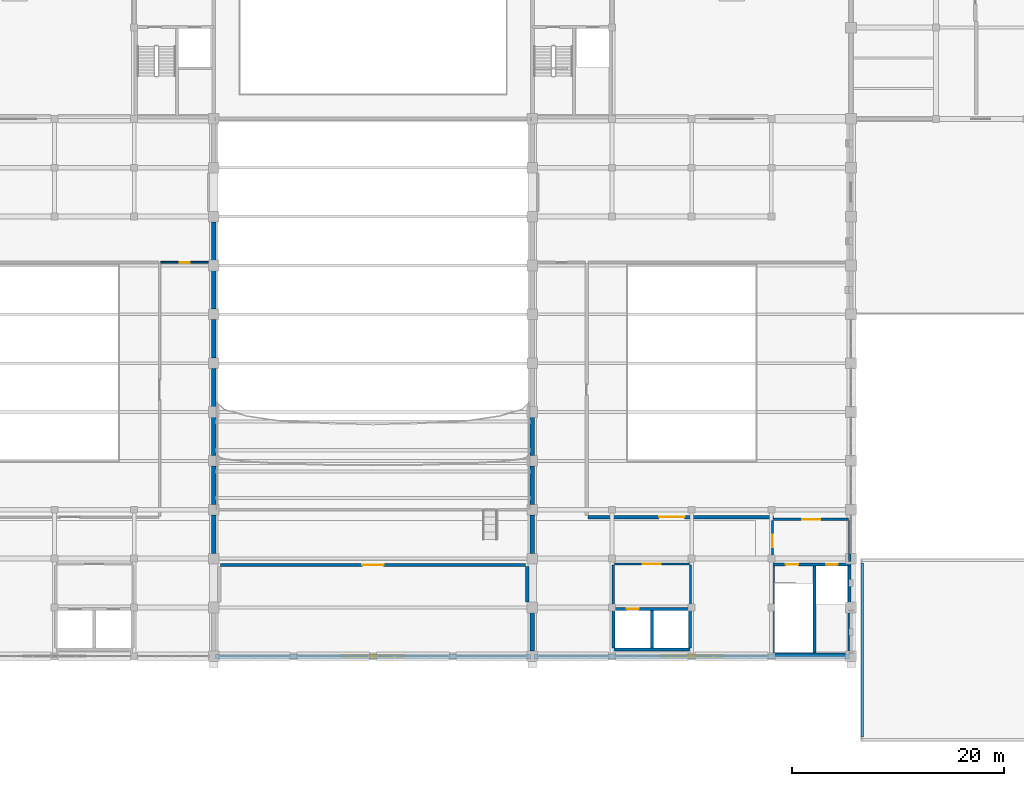
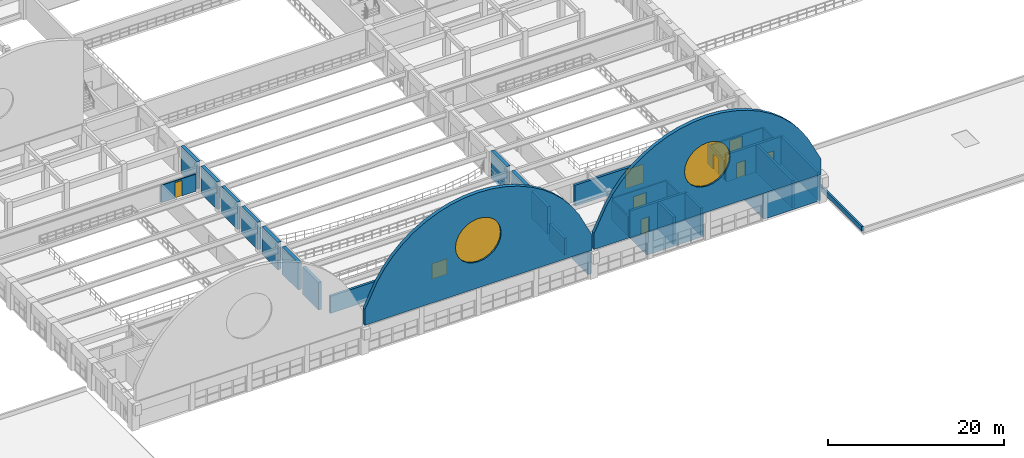
# One storey, part 57 of 74: 34 walls, 9 doors, 2 windows, 11 openings.
"""IFC4 building model written with IfcOpenShell, lengths in metres."""

from ifc_helpers import new_model, si_unit, direction, frame, frame_2d, origin, place, context, subcontext, project, spatial, polyline, rectangle, outline, extrude, material, layer, layer_set, type_object, element, fill, save


model = new_model("IFC4")

# Units and contexts
model_context = context("Model", 3, precision=1e-05, world=origin(), true_north=direction((0.0, 1.0)))
body_context = subcontext(model_context, "Body", "Model", "MODEL_VIEW")
ifc_project = project(units=[si_unit("LENGTHUNIT", "METRE"), si_unit("AREAUNIT", "SQUARE_METRE"), si_unit("VOLUMEUNIT", "CUBIC_METRE"), si_unit("PLANEANGLEUNIT", "RADIAN"), si_unit("MASSUNIT", "GRAM", prefix="KILO")], contexts=[model_context])

# Site, building, storey
site_placement = place(None, origin())
site = spatial("IfcSite", under=ifc_project, at=site_placement, CompositionType="ELEMENT")
building_placement = place(site_placement, origin())
building = spatial("IfcBuilding", under=site, at=building_placement, Name="Muzn Square Opera House", CompositionType="ELEMENT")
storey_placement = place(building_placement, frame((0.0, 0.0, 14.199951171875)))
storey = spatial("IfcBuildingStorey", under=building, at=storey_placement, Name="L03", CompositionType="ELEMENT", Elevation=14.199951171875)

# Wall, opening, door
ifc_material_1 = material(Name="Acoustic gypsum stud partition", Category="gypsum")
ifc_layer_1 = layer(ifc_material_1, 0.320068359375, Name="Acoustic gypsum stud partition", Category="gypsum")
ifc_layer_set_1 = layer_set([ifc_layer_1], Name="Acoustic gypsum stud partition")
wall_type_1 = type_object("IfcWallType", Name="Acoustic Studio Double Wall 320mm", PredefinedType="PARTITIONING", material=ifc_layer_set_1)
wall_1_placement = place(storey_placement, frame((73.64501953125, 30.60009765625, 0.0), z_axis=(0.0, 0.0, 1.0), x_axis=(1.0, 0.0, 0.0)))
wall_1 = element("IfcWall", 1, at=wall_1_placement, inside=storey, type_object=wall_type_1, Name="Interior Partition PW-L03-0339", PredefinedType="PARTITIONING", context=body_context, shape_type="SweptSolid", body=[
    extrude(rectangle(XDim=28.7099609375, YDim=0.320068359375, at=frame_2d((14.35498046875, 0.0))), origin(), (0.0, 0.0, 1.0), 2.380126953125),
])
opening_1_placement = place(wall_1_placement, frame((13.35498046875, 0.0, 0.0)))
opening_1 = element("IfcOpeningElement", 2, at=opening_1_placement, cuts=wall_1, Name="Opening DR-AU20L", PredefinedType="OPENING", context=body_context, shape_type="SweptSolid", body=[
    extrude(rectangle(XDim=2.0, YDim=2.14990234375, at=frame_2d((1.0, 1.074951171875))), frame((0.0, 0.169921875, 0.0), z_axis=(0.0, -1.0, 0.0), x_axis=(1.0, 0.0, 0.0)), (0.0, 0.0, 1.0), 0.340087890625),
])
ifc_material_2 = material(Name="Acoustic hardwood leaf", Category="wood")
door_type_1 = type_object("IfcDoorType", Name="Auditorium Compact Sound-Lock Pair 2000x2150", OperationType="DOUBLE_DOOR_SINGLE_SWING", PredefinedType="DOOR", material=ifc_material_2)
door_1_placement = place(opening_1_placement, origin())
door_1 = element("IfcDoor", 3, at=door_1_placement, inside=storey, type_object=door_type_1, Name="Auditorium Amphitheatre Circle Door DR-L03-0096", OperationType="DOUBLE_DOOR_SINGLE_SWING", OverallHeight=2.14990234375, OverallWidth=2.0, PredefinedType="DOOR", context=body_context, shape_type="SweptSolid", body=[
    extrude(rectangle(XDim=2.0, YDim=2.14990234375, at=frame_2d((1.0, 1.074951171875))), frame((0.0, 0.02490234375, 0.0), z_axis=(0.0, -1.0, 0.0), x_axis=(1.0, 0.0, 0.0)), (0.0, 0.0, 1.0), 0.050048828125),
])
fill(opening_1, door_1)

wall_2_placement = place(storey_placement, frame((108.2451171875, 35.10009765625, 0.0), z_axis=(0.0, 0.0, 1.0), x_axis=(1.0, 0.0, 0.0)))
wall_2 = element("IfcWall", 4, at=wall_2_placement, inside=storey, type_object=wall_type_1, Name="Interior Partition PW-L03-0354", PredefinedType="PARTITIONING", context=body_context, shape_type="SweptSolid", body=[
    extrude(rectangle(XDim=17.469970703125, YDim=0.320068359375, at=frame_2d((8.73486328125, 0.0))), origin(), (0.0, 0.0, 1.0), 2.900146484375),
])
opening_2_placement = place(wall_2_placement, frame((6.679931640625, 0.0, 0.0)))
opening_2 = element("IfcOpeningElement", 5, at=opening_2_placement, cuts=wall_2, Name="Opening DR-SC24", PredefinedType="OPENING", context=body_context, shape_type="SweptSolid", body=[
    extrude(rectangle(XDim=2.39990234375, YDim=2.60009765625, at=frame_2d((1.199951171875, 1.300048828125))), frame((0.0, 0.169921875, 0.0), z_axis=(0.0, -1.0, 0.0), x_axis=(1.0, 0.0, 0.0)), (0.0, 0.0, 1.0), 0.340087890625),
])
ifc_material_3 = material(Name="Galvanised painted steel leaf", Category="metal")
door_type_2 = type_object("IfcDoorType", Name="Stage Scenery Double Door 2400x2600", OperationType="DOUBLE_DOOR_SINGLE_SWING", PredefinedType="DOOR", material=ifc_material_3)
door_2_placement = place(opening_2_placement, origin())
door_2 = element("IfcDoor", 6, at=door_2_placement, inside=storey, type_object=door_type_2, Name="Stage Production Design Studio Door DR-L03-0101", OperationType="DOUBLE_DOOR_SINGLE_SWING", OverallHeight=2.60009765625, OverallWidth=2.39990234375, PredefinedType="DOOR", context=body_context, shape_type="SweptSolid", body=[
    extrude(rectangle(XDim=2.39990234375, YDim=2.60009765625, at=frame_2d((1.199951171875, 1.300048828125))), frame((0.0, 0.02490234375, 0.0), z_axis=(0.0, -1.0, 0.0), x_axis=(1.0, 0.0, 0.0)), (0.0, 0.0, 1.0), 0.050048828125),
])
fill(opening_2, door_2)

# Walls
wall_3_placement = place(storey_placement, frame((102.5, 27.1201171875, 0.0), z_axis=(0.0, 0.0, 1.0), x_axis=(0.0, 1.0, 0.0)))
element("IfcWall", 7, at=wall_3_placement, inside=storey, type_object=wall_type_1, Name="Room Enclosure Partition PW-L03-0372", PredefinedType="PARTITIONING", context=body_context, shape_type="SweptSolid", body=[
    extrude(rectangle(XDim=3.3349609375, YDim=0.320068359375, at=frame_2d((1.66748046875, 0.0))), origin(), (0.0, 0.0, 1.0), 2.380126953125),
])
ifc_material_4 = material(Name="Concrete C45/55", Category="concrete")
ifc_layer_2 = layer(ifc_material_4, 0.419921875, Name="Concrete C45/55", Category="concrete")
ifc_layer_set_2 = layer_set([ifc_layer_2], Name="Concrete C45/55")
wall_type_2 = type_object("IfcWallType", Name="Auditorium Acoustic Shear Wall 420mm", PredefinedType="SHEAR", material=ifc_layer_set_2)
for number, where, z_axis, x_axis, name in (
    (8, (103.0, 22.489990234375, 0.0), (0.0, 0.0, 1.0), (0.0, 1.0, 0.0), "Auditorium Acoustic Shear Wall AUDW-L03-E00"),
    (9, (73.0, 31.68994140625, 0.0), (0.0, 0.0, 1.0), (0.0, 1.0, 0.0), "Auditorium Acoustic Shear Wall AUDW-L03-W02"),
    (10, (103.0, 31.68994140625, 0.0), (0.0, 0.0, 1.0), (0.0, 1.0, 0.0), "Auditorium Acoustic Shear Wall AUDW-L03-E02"),
):
    element("IfcWall", number, at=place(storey_placement, frame(where, z_axis=z_axis, x_axis=x_axis)), inside=storey, type_object=wall_type_2, Name=name, PredefinedType="SHEAR", context=body_context, shape_type="SweptSolid", body=[
        extrude(rectangle(XDim=3.6201171875, YDim=0.419921875, at=frame_2d((1.81005859375, 0.0))), origin(), (0.0, 0.0, 1.0), 3.800048828125),
    ])
for number, where, z_axis, x_axis, name in (
    (11, (73.0, 36.2900390625, 0.0), (0.0, 0.0, 1.0), (0.0, 1.0, 0.0), "Auditorium Acoustic Shear Wall AUDW-L03-W03"),
    (12, (103.0, 36.2900390625, 0.0), (0.0, 0.0, 1.0), (0.0, 1.0, 0.0), "Auditorium Acoustic Shear Wall AUDW-L03-E03"),
):
    element("IfcWall", number, at=place(storey_placement, frame(where, z_axis=z_axis, x_axis=x_axis)), inside=storey, type_object=wall_type_2, Name=name, PredefinedType="SHEAR", context=body_context, shape_type="SweptSolid", body=[
        extrude(rectangle(XDim=3.619873046875, YDim=0.419921875, at=frame_2d((1.81005859375, 0.0))), origin(), (0.0, 0.0, 1.0), 3.800048828125),
    ])
for number, where, z_axis, x_axis, name in (
    (13, (73.0, 40.889892578125, 0.0), (0.0, 0.0, 1.0), (0.0, 1.0, 0.0), "Auditorium Acoustic Shear Wall AUDW-L03-W04"),
    (14, (103.0, 40.889892578125, 0.0), (0.0, 0.0, 1.0), (0.0, 1.0, 0.0), "Auditorium Acoustic Shear Wall AUDW-L03-E04"),
    (15, (73.0, 45.489990234375, 0.0), (0.0, 0.0, 1.0), (0.0, 1.0, 0.0), "Auditorium Acoustic Shear Wall AUDW-L03-W05"),
):
    element("IfcWall", number, at=place(storey_placement, frame(where, z_axis=z_axis, x_axis=x_axis)), inside=storey, type_object=wall_type_2, Name=name, PredefinedType="SHEAR", context=body_context, shape_type="SweptSolid", body=[
        extrude(rectangle(XDim=3.6201171875, YDim=0.419921875, at=frame_2d((1.81005859375, 0.0))), origin(), (0.0, 0.0, 1.0), 3.800048828125),
    ])
wall_4_placement = place(storey_placement, frame((73.0, 50.090087890625, 0.0), z_axis=(0.0, 0.0, 1.0), x_axis=(0.0, 1.0, 0.0)))
element("IfcWall", 16, at=wall_4_placement, inside=storey, type_object=wall_type_2, Name="Auditorium Acoustic Shear Wall AUDW-L03-W06", PredefinedType="SHEAR", context=body_context, shape_type="SweptSolid", body=[
    extrude(rectangle(XDim=3.619873046875, YDim=0.419921875, at=frame_2d((1.81005859375, 0.0))), origin(), (0.0, 0.0, 1.0), 3.800048828125),
])
wall_5_placement = place(storey_placement, frame((73.0, 54.68994140625, 0.0), z_axis=(0.0, 0.0, 1.0), x_axis=(0.0, 1.0, 0.0)))
element("IfcWall", 17, at=wall_5_placement, inside=storey, type_object=wall_type_2, Name="Auditorium Acoustic Shear Wall AUDW-L03-W07", PredefinedType="SHEAR", context=body_context, shape_type="SweptSolid", body=[
    extrude(rectangle(XDim=3.6201171875, YDim=0.419921875, at=frame_2d((1.81005859375, 0.0))), origin(), (0.0, 0.0, 1.0), 3.800048828125),
])
wall_6_placement = place(storey_placement, frame((73.0, 59.2900390625, 0.0), z_axis=(0.0, 0.0, 1.0), x_axis=(0.0, 1.0, 0.0)))
element("IfcWall", 18, at=wall_6_placement, inside=storey, type_object=wall_type_2, Name="Auditorium Acoustic Shear Wall AUDW-L03-W08", PredefinedType="SHEAR", context=body_context, shape_type="SweptSolid", body=[
    extrude(rectangle(XDim=3.619873046875, YDim=0.419921875, at=frame_2d((1.81005859375, 0.0))), origin(), (0.0, 0.0, 1.0), 3.800048828125),
])
ifc_layer_3 = layer(ifc_material_4, 0.300048828125, Name="Concrete C45/55", Category="concrete")
ifc_layer_set_3 = layer_set([ifc_layer_3], Name="Concrete C45/55")
wall_type_3 = type_object("IfcWallType", Name="Core Shear Wall 300mm", PredefinedType="SHEAR", material=ifc_layer_set_3)
wall_7_placement = place(storey_placement, frame((125.5, 22.14990234375, 0.0), z_axis=(0.0, 0.0, 1.0), x_axis=(1.0, 0.0, 0.0)))
element("IfcWall", 19, at=wall_7_placement, inside=storey, type_object=wall_type_3, Name="Core C4 Shear Wall SW-C4-L03-S", PredefinedType="SHEAR", context=body_context, shape_type="SweptSolid", body=[
    extrude(rectangle(XDim=7.5, YDim=0.300048828125, at=frame_2d((3.75, 0.0))), origin(), (0.0, 0.0, 1.0), 3.800048828125),
])
for number, where, z_axis, x_axis, name in (
    (20, (125.64990234375, 22.300048828125, 0.0), (0.0, 0.0, 1.0), (0.0, 1.0, 0.0), "Core C4 Shear Wall SW-C4-L03-W"),
    (21, (132.85009765625, 22.300048828125, 0.0), (0.0, 0.0, 1.0), (0.0, 1.0, 0.0), "Core C4 Shear Wall SW-C4-L03-E"),
    (22, (129.550048828125, 22.300048828125, 0.0), (0.0, 0.0, 1.0), (0.0, 1.0, 0.0), "Core C4 Shear Wall SW-C4-L03-DIV"),
):
    element("IfcWall", number, at=place(storey_placement, frame(where, z_axis=z_axis, x_axis=x_axis)), inside=storey, type_object=wall_type_3, Name=name, PredefinedType="SHEAR", context=body_context, shape_type="SweptSolid", body=[
        extrude(rectangle(XDim=8.199951171875, YDim=0.300048828125, at=frame_2d((4.10009765625, 0.0))), origin(), (0.0, 0.0, 1.0), 3.800048828125),
    ])
wall_8_placement = place(storey_placement, frame((110.5, 22.64990234375, 0.0), z_axis=(0.0, 0.0, 1.0), x_axis=(1.0, 0.0, 0.0)))
element("IfcWall", 23, at=wall_8_placement, inside=storey, type_object=wall_type_3, Name="Lift Bank LBE Shear Wall SW-LBE-L03-S", PredefinedType="SHEAR", context=body_context, shape_type="SweptSolid", body=[
    extrude(rectangle(XDim=7.5, YDim=0.300048828125, at=frame_2d((3.75, 0.0))), origin(), (0.0, 0.0, 1.0), 3.800048828125),
])
for number, where, z_axis, x_axis, name in (
    (24, (110.64990234375, 22.800048828125, 0.0), (0.0, 0.0, 1.0), (0.0, 1.0, 0.0), "Lift Bank LBE Shear Wall SW-LBE-L03-W"),
    (25, (117.85009765625, 22.800048828125, 0.0), (0.0, 0.0, 1.0), (0.0, 1.0, 0.0), "Lift Bank LBE Shear Wall SW-LBE-L03-E"),
    (26, (114.25, 22.800048828125, 0.0), (0.0, 0.0, 1.0), (0.0, 1.0, 0.0), "Lift Bank LBE Shear Wall SW-LBE-L03-DIV"),
):
    element("IfcWall", number, at=place(storey_placement, frame(where, z_axis=z_axis, x_axis=x_axis)), inside=storey, type_object=wall_type_3, Name=name, PredefinedType="SHEAR", context=body_context, shape_type="SweptSolid", body=[
        extrude(rectangle(XDim=3.5, YDim=0.300048828125, at=frame_2d((1.75, 0.0))), origin(), (0.0, 0.0, 1.0), 3.800048828125),
    ])

# Wall, openings, doors
wall_9_placement = place(storey_placement, frame((125.5, 30.64990234375, 0.0), z_axis=(0.0, 0.0, 1.0), x_axis=(1.0, 0.0, 0.0)))
wall_9 = element("IfcWall", 27, at=wall_9_placement, inside=storey, type_object=wall_type_3, Name="Core C4 Front Shear Wall L03", PredefinedType="SHEAR", context=body_context, shape_type="SweptSolid", body=[
    extrude(rectangle(XDim=7.5, YDim=0.300048828125, at=frame_2d((3.75, 0.0))), origin(), (0.0, 0.0, 1.0), 3.800048828125),
])
opening_3_placement = place(wall_9_placement, frame((1.35009765625, 0.0, 0.0)))
opening_3 = element("IfcOpeningElement", 28, at=opening_3_placement, cuts=wall_9, Name="Opening DR-ST12", PredefinedType="OPENING", context=body_context, shape_type="SweptSolid", body=[
    extrude(rectangle(XDim=1.199951171875, YDim=2.14990234375, at=frame_2d((0.60009765625, 1.074951171875))), frame((0.0, 0.159912109375, 0.0), z_axis=(0.0, -1.0, 0.0), x_axis=(1.0, 0.0, 0.0)), (0.0, 0.0, 1.0), 0.320068359375),
])
opening_4_placement = place(wall_9_placement, frame((5.14990234375, 0.0, 0.0)))
opening_4 = element("IfcOpeningElement", 29, at=opening_4_placement, cuts=wall_9, Name="Opening LD-01", PredefinedType="OPENING", context=body_context, shape_type="SweptSolid", body=[
    extrude(rectangle(XDim=1.10009765625, YDim=2.14990234375, at=frame_2d((0.550048828125, 1.074951171875))), frame((0.0, 0.159912109375, 0.0), z_axis=(0.0, -1.0, 0.0), x_axis=(1.0, 0.0, 0.0)), (0.0, 0.0, 1.0), 0.320068359375),
])
door_type_3 = type_object("IfcDoorType", Name="Core Stair Fire Door 1200x2150", OperationType="NOTDEFINED", PredefinedType="DOOR", material=ifc_material_3)
door_3_placement = place(opening_3_placement, origin())
door_3 = element("IfcDoor", 30, at=door_3_placement, inside=storey, type_object=door_type_3, Name="Core C4 Stair Door L03", OperationType="SINGLE_SWING_RIGHT", OverallHeight=2.14990234375, OverallWidth=1.199951171875, PredefinedType="DOOR", context=body_context, shape_type="SweptSolid", body=[
    extrude(rectangle(XDim=1.199951171875, YDim=2.14990234375, at=frame_2d((0.60009765625, 1.074951171875))), frame((0.0, 0.02490234375, 0.0), z_axis=(0.0, -1.0, 0.0), x_axis=(1.0, 0.0, 0.0)), (0.0, 0.0, 1.0), 0.050048828125),
])
fill(opening_3, door_3)
ifc_material_5 = material(Name="Brushed stainless steel", Category="metal")
door_type_4 = type_object("IfcDoorType", Name="Lift Landing Sliding Door 1100x2150", OperationType="SLIDING_TO_LEFT", PredefinedType="DOOR", material=ifc_material_5)
door_4_placement = place(opening_4_placement, origin())
door_4 = element("IfcDoor", 31, at=door_4_placement, inside=storey, type_object=door_type_4, Name="Lift PL-3 Sliding Landing Door L03", OperationType="SLIDING_TO_LEFT", OverallHeight=2.14990234375, OverallWidth=1.10009765625, PredefinedType="DOOR", context=body_context, shape_type="SweptSolid", body=[
    extrude(rectangle(XDim=1.10009765625, YDim=2.14990234375, at=frame_2d((0.550048828125, 1.074951171875))), frame((0.0, 0.02490234375, 0.0), z_axis=(0.0, -1.0, 0.0), x_axis=(1.0, 0.0, 0.0)), (0.0, 0.0, 1.0), 0.050048828125),
])
fill(opening_4, door_4)

# Wall, opening, door
wall_10_placement = place(storey_placement, frame((110.5, 26.449951171875, 0.0), z_axis=(0.0, 0.0, 1.0), x_axis=(1.0, 0.0, 0.0)))
wall_10 = element("IfcWall", 32, at=wall_10_placement, inside=storey, type_object=wall_type_3, Name="Lift Bank LBE Front Wall L03", PredefinedType="SHEAR", context=body_context, shape_type="SweptSolid", body=[
    extrude(rectangle(XDim=7.5, YDim=0.300048828125, at=frame_2d((3.75, 0.0))), origin(), (0.0, 0.0, 1.0), 3.800048828125),
])
opening_5_placement = place(wall_10_placement, frame((1.39990234375, 0.0, 0.0)))
opening_5 = element("IfcOpeningElement", 33, at=opening_5_placement, cuts=wall_10, Name="Opening LD-01", PredefinedType="OPENING", context=body_context, shape_type="SweptSolid", body=[
    extrude(rectangle(XDim=1.10009765625, YDim=2.14990234375, at=frame_2d((0.550048828125, 1.074951171875))), frame((0.0, 0.159912109375, 0.0), z_axis=(0.0, -1.0, 0.0), x_axis=(1.0, 0.0, 0.0)), (0.0, 0.0, 1.0), 0.320068359375),
])
door_5_placement = place(opening_5_placement, origin())
door_5 = element("IfcDoor", 34, at=door_5_placement, inside=storey, type_object=door_type_4, Name="Lift PL-4 Sliding Landing Door L03", OperationType="SLIDING_TO_LEFT", OverallHeight=2.14990234375, OverallWidth=1.10009765625, PredefinedType="DOOR", context=body_context, shape_type="SweptSolid", body=[
    extrude(rectangle(XDim=1.10009765625, YDim=2.14990234375, at=frame_2d((0.550048828125, 1.074951171875))), frame((0.0, 0.02490234375, 0.0), z_axis=(0.0, -1.0, 0.0), x_axis=(1.0, 0.0, 0.0)), (0.0, 0.0, 1.0), 0.050048828125),
])
fill(opening_5, door_5)

ifc_layer_4 = layer(ifc_material_1, 0.169921875, Name="Acoustic gypsum stud partition", Category="gypsum")
ifc_layer_set_4 = layer_set([ifc_layer_4], Name="Acoustic gypsum stud partition")
wall_type_4 = type_object("IfcWallType", Name="Gallery Partition 170mm", PredefinedType="PARTITIONING", material=ifc_layer_set_4)
wall_11_placement = place(storey_placement, frame((67.989990234375, 59.10009765625, 0.0), z_axis=(0.0, 0.0, 1.0), x_axis=(1.0, 0.0, 0.0)))
wall_11 = element("IfcWall", 35, at=wall_11_placement, inside=storey, type_object=wall_type_4, Name="Interior Partition PW-L03-0341", PredefinedType="PARTITIONING", context=body_context, shape_type="SweptSolid", body=[
    extrude(rectangle(XDim=4.510009765625, YDim=0.169921875, at=frame_2d((2.2548828125, 0.0))), origin(), (0.0, 0.0, 1.0), 2.380126953125),
])
opening_6_placement = place(wall_11_placement, frame((1.784912109375, 0.0, 0.0)))
opening_6 = element("IfcOpeningElement", 36, at=opening_6_placement, cuts=wall_11, Name="Opening DR-OF95", PredefinedType="OPENING", context=body_context, shape_type="SweptSolid", body=[
    extrude(rectangle(XDim=0.949951171875, YDim=2.14990234375, at=frame_2d((0.47509765625, 1.074951171875))), frame((0.0, 0.094970703125, 0.0), z_axis=(0.0, -1.0, 0.0), x_axis=(1.0, 0.0, 0.0)), (0.0, 0.0, 1.0), 0.18994140625),
])
door_type_5 = type_object("IfcDoorType", Name="Office Room Door 950x2150", OperationType="NOTDEFINED", PredefinedType="DOOR", material=ifc_material_2)
door_6_placement = place(opening_6_placement, origin())
door_6 = element("IfcDoor", 37, at=door_6_placement, inside=storey, type_object=door_type_5, Name="West Vaulted Acoustic Gallery Door DR-L03-0097", OperationType="SINGLE_SWING_RIGHT", OverallHeight=2.14990234375, OverallWidth=0.949951171875, PredefinedType="DOOR", context=body_context, shape_type="SweptSolid", body=[
    extrude(rectangle(XDim=0.949951171875, YDim=2.14990234375, at=frame_2d((0.47509765625, 1.074951171875))), frame((0.0, 0.02490234375, 0.0), z_axis=(0.0, -1.0, 0.0), x_axis=(1.0, 0.0, 0.0)), (0.0, 0.0, 1.0), 0.050048828125),
])
fill(opening_6, door_6)

ifc_material_6 = material(Name="Concrete C40/50", Category="concrete")
ifc_layer_5 = layer(ifc_material_6, 0.219970703125, Name="Concrete C40/50", Category="concrete")
ifc_layer_set_5 = layer_set([ifc_layer_5], Name="Concrete C40/50")
wall_type_5 = type_object("IfcWallType", Name="Lift Lobby Wall 220mm", PredefinedType="SOLIDWALL", material=ifc_layer_set_5)
wall_12_placement = place(storey_placement, frame((125.719970703125, 34.889892578125, 0.0), z_axis=(0.0, 0.0, 1.0), x_axis=(1.0, 0.0, 0.0)))
wall_12 = element("IfcWall", 38, at=wall_12_placement, inside=storey, type_object=wall_type_5, Name="Lobby C4 Enclosure Wall L03", PredefinedType="SOLIDWALL", context=body_context, shape_type="SweptSolid", body=[
    extrude(rectangle(XDim=7.06005859375, YDim=0.219970703125, at=frame_2d((3.530029296875, 0.0))), origin(), (0.0, 0.0, 1.0), 2.380126953125),
])
opening_7_placement = place(wall_12_placement, frame((2.679931640625, 0.0, 0.0)))
opening_7 = element("IfcOpeningElement", 39, at=opening_7_placement, cuts=wall_12, Name="Opening DR-LL17", PredefinedType="OPENING", context=body_context, shape_type="SweptSolid", body=[
    extrude(rectangle(XDim=1.699951171875, YDim=2.179931640625, at=frame_2d((0.85009765625, 1.08984375))), frame((0.0, 0.119873046875, 0.0), z_axis=(0.0, -1.0, 0.0), x_axis=(1.0, 0.0, 0.0)), (0.0, 0.0, 1.0), 0.239990234375),
])
door_type_6 = type_object("IfcDoorType", Name="Lift Lobby Double Door 1700x2180", OperationType="DOUBLE_DOOR_SINGLE_SWING", PredefinedType="DOOR", material=ifc_material_2)
door_7_placement = place(opening_7_placement, origin())
door_7 = element("IfcDoor", 40, at=door_7_placement, inside=storey, type_object=door_type_6, Name="Lobby C4 Fire Door L03", OperationType="DOUBLE_DOOR_SINGLE_SWING", OverallHeight=2.179931640625, OverallWidth=1.699951171875, PredefinedType="DOOR", context=body_context, shape_type="SweptSolid", body=[
    extrude(rectangle(XDim=1.699951171875, YDim=2.179931640625, at=frame_2d((0.85009765625, 1.08984375))), frame((0.0, 0.02490234375, 0.0), z_axis=(0.0, -1.0, 0.0), x_axis=(1.0, 0.0, 0.0)), (0.0, 0.0, 1.0), 0.050048828125),
])
fill(opening_7, door_7)

wall_13_placement = place(storey_placement, frame((125.610107421875, 30.949951171875, 0.0), z_axis=(0.0, 0.0, 1.0), x_axis=(0.0, 1.0, 0.0)))
wall_13 = element("IfcWall", 41, at=wall_13_placement, inside=storey, type_object=wall_type_5, Name="Lobby C4 Side Wall W L03", PredefinedType="SOLIDWALL", context=body_context, shape_type="SweptSolid", body=[
    extrude(rectangle(XDim=3.830078125, YDim=0.219970703125, at=frame_2d((1.9150390625, 0.0))), origin(), (0.0, 0.0, 1.0), 2.699951171875),
])
opening_8_placement = place(wall_13_placement, frame((1.31494140625, 0.0, 0.0)))
opening_8 = element("IfcOpeningElement", 42, at=opening_8_placement, cuts=wall_13, Name="Opening DR-ST12", PredefinedType="OPENING", context=body_context, shape_type="SweptSolid", body=[
    extrude(rectangle(XDim=1.199951171875, YDim=2.14990234375, at=frame_2d((0.60009765625, 1.074951171875))), frame((0.0, 0.119873046875, 0.0), z_axis=(0.0, -1.0, 0.0), x_axis=(1.0, 0.0, 0.0)), (0.0, 0.0, 1.0), 0.239990234375),
])
door_8_placement = place(opening_8_placement, origin())
door_8 = element("IfcDoor", 43, at=door_8_placement, inside=storey, type_object=door_type_3, Name="Lobby C4 Side Door W L03", OperationType="SINGLE_SWING_LEFT", OverallHeight=2.14990234375, OverallWidth=1.199951171875, PredefinedType="DOOR", context=body_context, shape_type="SweptSolid", body=[
    extrude(rectangle(XDim=1.199951171875, YDim=2.14990234375, at=frame_2d((0.60009765625, 1.074951171875))), frame((0.0, 0.02490234375, 0.0), z_axis=(0.0, -1.0, 0.0), x_axis=(1.0, 0.0, 0.0)), (0.0, 0.0, 1.0), 0.050048828125),
])
fill(opening_8, door_8)

# Wall
wall_14_placement = place(storey_placement, frame((132.889892578125, 30.949951171875, 0.0), z_axis=(0.0, 0.0, 1.0), x_axis=(0.0, 1.0, 0.0)))
element("IfcWall", 44, at=wall_14_placement, inside=storey, type_object=wall_type_5, Name="Lobby C4 Side Wall E L03", PredefinedType="SOLIDWALL", context=body_context, shape_type="SweptSolid", body=[
    extrude(rectangle(XDim=3.830078125, YDim=0.219970703125, at=frame_2d((1.9150390625, 0.0))), origin(), (0.0, 0.0, 1.0), 2.380126953125),
])

# Wall, opening, door
wall_15_placement = place(storey_placement, frame((110.719970703125, 30.68994140625, 0.0), z_axis=(0.0, 0.0, 1.0), x_axis=(1.0, 0.0, 0.0)))
wall_15 = element("IfcWall", 45, at=wall_15_placement, inside=storey, type_object=wall_type_5, Name="Lift Lobby LBE Wall L03", PredefinedType="SOLIDWALL", context=body_context, shape_type="SweptSolid", body=[
    extrude(rectangle(XDim=7.06005859375, YDim=0.219970703125, at=frame_2d((3.530029296875, 0.0))), origin(), (0.0, 0.0, 1.0), 2.900146484375),
])
opening_9_placement = place(wall_15_placement, frame((2.679931640625, 0.0, 0.0)))
opening_9 = element("IfcOpeningElement", 46, at=opening_9_placement, cuts=wall_15, Name="Opening DR-LL17", PredefinedType="OPENING", context=body_context, shape_type="SweptSolid", body=[
    extrude(rectangle(XDim=1.699951171875, YDim=2.179931640625, at=frame_2d((0.85009765625, 1.08984375))), frame((0.0, 0.119873046875, 0.0), z_axis=(0.0, -1.0, 0.0), x_axis=(1.0, 0.0, 0.0)), (0.0, 0.0, 1.0), 0.239990234375),
])
door_9_placement = place(opening_9_placement, origin())
door_9 = element("IfcDoor", 47, at=door_9_placement, inside=storey, type_object=door_type_6, Name="Lift Lobby LBE Door L03", OperationType="DOUBLE_DOOR_SINGLE_SWING", OverallHeight=2.179931640625, OverallWidth=1.699951171875, PredefinedType="DOOR", context=body_context, shape_type="SweptSolid", body=[
    extrude(rectangle(XDim=1.699951171875, YDim=2.179931640625, at=frame_2d((0.85009765625, 1.08984375))), frame((0.0, 0.02490234375, 0.0), z_axis=(0.0, -1.0, 0.0), x_axis=(1.0, 0.0, 0.0)), (0.0, 0.0, 1.0), 0.050048828125),
])
fill(opening_9, door_9)

# Walls
for number, where, z_axis, x_axis, name in (
    (48, (110.610107421875, 26.75, 0.0), (0.0, 0.0, 1.0), (0.0, 1.0, 0.0), "Lift Lobby LBE Side Wall W L03"),
    (49, (117.889892578125, 26.75, 0.0), (0.0, 0.0, 1.0), (0.0, 1.0, 0.0), "Lift Lobby LBE Side Wall E L03"),
):
    element("IfcWall", number, at=place(storey_placement, frame(where, z_axis=z_axis, x_axis=x_axis)), inside=storey, type_object=wall_type_5, Name=name, PredefinedType="SOLIDWALL", context=body_context, shape_type="SweptSolid", body=[
        extrude(rectangle(XDim=3.830078125, YDim=0.219970703125, at=frame_2d((1.9150390625, 0.0))), origin(), (0.0, 0.0, 1.0), 2.699951171875),
    ])
ifc_material_7 = material(Name="Precast concrete C40/50", Category="concrete")
ifc_layer_6 = layer(ifc_material_7, 0.239990234375, Name="Precast concrete C40/50", Category="concrete")
ifc_layer_set_6 = layer_set([ifc_layer_6], Name="Precast concrete C40/50")
wall_type_6 = type_object("IfcWallType", Name="Roof Parapet Wall 240mm", PredefinedType="PARAPET", material=ifc_layer_set_6)
wall_16_placement = place(storey_placement, frame((134.050048828125, 14.39990234375, 0.0), z_axis=(0.0, 0.0, 1.0), x_axis=(0.0, 1.0, 0.0)))
element("IfcWall", 50, at=wall_16_placement, inside=storey, type_object=wall_type_6, Name="Roof Parapet ROOF-L03-ESOUTH-W", PredefinedType="PARAPET", context=body_context, shape_type="SweptSolid", body=[
    extrude(rectangle(XDim=16.400146484375, YDim=0.239990234375, at=frame_2d((8.2001953125, 0.0))), origin(), (0.0, 0.0, 1.0), 0.650146484375),
])

# Wall, opening, window
ifc_layer_7 = layer(ifc_material_7, 0.4599609375, Name="Precast concrete C40/50", Category="concrete")
ifc_layer_set_7 = layer_set([ifc_layer_7], Name="Precast concrete C40/50")
wall_type_7 = type_object("IfcWallType", Name="Semicircular Pale Render Gable Wall 460mm", PredefinedType="SOLIDWALL", material=ifc_layer_set_7)
wall_17_placement = place(storey_placement, frame((73.139892578125, 22.0, 3.800048828125), z_axis=(0.0, 0.0, 1.0), x_axis=(1.0, 0.0, 0.0)))
wall_17 = element("IfcWall", 51, at=wall_17_placement, inside=storey, type_object=wall_type_7, Name="South Semicircular Pale Render Gable Grand Auditorium Barrel Vault", PredefinedType="SOLIDWALL", context=body_context, shape_type="SweptSolid", body=[
    extrude(outline(polyline([(0.0, 0.0), (29.72021484375, 0.0), (29.719970703125, 2.177490234375), (28.876953125, 3.859375), (28.09228515625, 5.460205078125), (27.125244140625, 6.958251953125), (25.989501953125, 8.332763671875), (24.70068359375, 9.564697265625), (23.276611328125, 10.637451171875), (21.736572265625, 11.535888671875), (20.10205078125, 12.247802734375), (18.395263671875, 12.763427734375), (16.639892578125, 13.07568359375), (14.860107421875, 13.179931640625), (13.080078125, 13.07568359375), (11.32470703125, 12.763427734375), (9.617919921875, 12.247802734375), (7.9833984375, 11.535888671875), (6.443359375, 10.637451171875), (5.019287109375, 9.564697265625), (3.73046875, 8.332763671875), (2.5947265625, 6.958251953125), (1.627685546875, 5.460205078125), (0.843017578125, 3.859375), (0.0, 2.177490234375), (0.0, 0.0)])), frame((0.0, 0.22998046875, 0.0), z_axis=(0.0, -1.0, 0.0), x_axis=(1.0, 0.0, 0.0)), (0.0, 0.0, 1.0), 0.4599609375),
])
opening_10_placement = place(wall_17_placement, frame((11.860107421875, 0.0, 3.60009765625)))
opening_10 = element("IfcOpeningElement", 52, at=opening_10_placement, cuts=wall_17, Name="Opening WN-OC60", PredefinedType="OPENING", context=body_context, shape_type="SweptSolid", body=[
    extrude(outline(polyline([(6.0, 3.0), (5.897705078125, 3.7763671875), (5.59814453125, 4.5), (5.121337890625, 5.121337890625), (4.5, 5.59814453125), (3.7763671875, 5.897705078125), (3.0, 6.0), (2.2236328125, 5.897705078125), (1.5, 5.59814453125), (0.878662109375, 5.121337890625), (0.40185546875, 4.5), (0.102294921875, 3.7763671875), (0.0, 3.0), (0.102294921875, 2.2236328125), (0.40185546875, 1.5), (0.878662109375, 0.878662109375), (1.5, 0.40185546875), (2.2236328125, 0.102294921875), (3.0, 0.0), (3.7763671875, 0.102294921875), (4.5, 0.40185546875), (5.121337890625, 0.878662109375), (5.59814453125, 1.5), (5.897705078125, 2.2236328125), (6.0, 3.0)])), frame((0.0, 0.239990234375, 0.0), z_axis=(0.0, -1.0, 0.0), x_axis=(1.0, 0.0, 0.0)), (0.0, 0.0, 1.0), 0.47998046875),
])
ifc_material_8 = material(Name="Low-E laminated acoustic double glazing", Category="glass")
window_type = type_object("IfcWindowType", Name="Round Oculus Window D6000", PartitioningType="TRIPLE_PANEL_HORIZONTAL", PredefinedType="WINDOW", material=ifc_material_8)
window_1_placement = place(opening_10_placement, origin())
window_1 = element("IfcWindow", 53, at=window_1_placement, inside=storey, type_object=window_type, Name="South Gable Round Oculus Window V2", OverallHeight=6.0, OverallWidth=6.0, PartitioningType="SINGLE_PANEL", PredefinedType="WINDOW", context=body_context, shape_type="SweptSolid", body=[
    extrude(outline(polyline([(6.0, 3.0), (5.897705078125, 3.7763671875), (5.59814453125, 4.5), (5.121337890625, 5.121337890625), (4.5, 5.59814453125), (3.7763671875, 5.897705078125), (3.0, 6.0), (2.2236328125, 5.897705078125), (1.5, 5.59814453125), (0.878662109375, 5.121337890625), (0.40185546875, 4.5), (0.102294921875, 3.7763671875), (0.0, 3.0), (0.102294921875, 2.2236328125), (0.40185546875, 1.5), (0.878662109375, 0.878662109375), (1.5, 0.40185546875), (2.2236328125, 0.102294921875), (3.0, 0.0), (3.7763671875, 0.102294921875), (4.5, 0.40185546875), (5.121337890625, 0.878662109375), (5.59814453125, 1.5), (5.897705078125, 2.2236328125), (6.0, 3.0)])), frame((0.0, 0.030029296875, 0.0), z_axis=(0.0, -1.0, 0.0), x_axis=(1.0, 0.0, 0.0)), (0.0, 0.0, 1.0), 0.06005859375),
])
fill(opening_10, window_1)

wall_18_placement = place(storey_placement, frame((103.139892578125, 22.0, 3.800048828125), z_axis=(0.0, 0.0, 1.0), x_axis=(1.0, 0.0, 0.0)))
wall_18 = element("IfcWall", 54, at=wall_18_placement, inside=storey, type_object=wall_type_7, Name="South Semicircular Pale Render Gable East Foyer Barrel Vault", PredefinedType="SOLIDWALL", context=body_context, shape_type="SweptSolid", body=[
    extrude(outline(polyline([(0.0, 0.0), (29.72021484375, 0.0), (29.719970703125, 2.177490234375), (28.876953125, 3.859375), (28.09228515625, 5.460205078125), (27.125244140625, 6.958251953125), (25.989501953125, 8.332763671875), (24.70068359375, 9.564697265625), (23.276611328125, 10.637451171875), (21.736572265625, 11.535888671875), (20.10205078125, 12.247802734375), (18.395263671875, 12.763427734375), (16.639892578125, 13.07568359375), (14.860107421875, 13.179931640625), (13.080078125, 13.07568359375), (11.32470703125, 12.763427734375), (9.617919921875, 12.247802734375), (7.9833984375, 11.535888671875), (6.443359375, 10.637451171875), (5.019287109375, 9.564697265625), (3.73046875, 8.332763671875), (2.5947265625, 6.958251953125), (1.627685546875, 5.460205078125), (0.843017578125, 3.859375), (0.0, 2.177490234375), (0.0, 0.0)])), frame((0.0, 0.22998046875, 0.0), z_axis=(0.0, -1.0, 0.0), x_axis=(1.0, 0.0, 0.0)), (0.0, 0.0, 1.0), 0.4599609375),
])
opening_11_placement = place(wall_18_placement, frame((11.860107421875, 0.0, 3.60009765625)))
opening_11 = element("IfcOpeningElement", 55, at=opening_11_placement, cuts=wall_18, Name="Opening WN-OC60", PredefinedType="OPENING", context=body_context, shape_type="SweptSolid", body=[
    extrude(outline(polyline([(6.0, 3.0), (5.897705078125, 3.7763671875), (5.59814453125, 4.5), (5.121337890625, 5.121337890625), (4.5, 5.59814453125), (3.7763671875, 5.897705078125), (3.0, 6.0), (2.2236328125, 5.897705078125), (1.5, 5.59814453125), (0.878662109375, 5.121337890625), (0.40185546875, 4.5), (0.102294921875, 3.7763671875), (0.0, 3.0), (0.102294921875, 2.2236328125), (0.40185546875, 1.5), (0.878662109375, 0.878662109375), (1.5, 0.40185546875), (2.2236328125, 0.102294921875), (3.0, 0.0), (3.7763671875, 0.102294921875), (4.5, 0.40185546875), (5.121337890625, 0.878662109375), (5.59814453125, 1.5), (5.897705078125, 2.2236328125), (6.0, 3.0)])), frame((0.0, 0.239990234375, 0.0), z_axis=(0.0, -1.0, 0.0), x_axis=(1.0, 0.0, 0.0)), (0.0, 0.0, 1.0), 0.47998046875),
])
window_2_placement = place(opening_11_placement, origin())
window_2 = element("IfcWindow", 56, at=window_2_placement, inside=storey, type_object=window_type, Name="South Gable Round Oculus Window V3", OverallHeight=6.0, OverallWidth=6.0, PartitioningType="SINGLE_PANEL", PredefinedType="WINDOW", context=body_context, shape_type="SweptSolid", body=[
    extrude(outline(polyline([(6.0, 3.0), (5.897705078125, 3.7763671875), (5.59814453125, 4.5), (5.121337890625, 5.121337890625), (4.5, 5.59814453125), (3.7763671875, 5.897705078125), (3.0, 6.0), (2.2236328125, 5.897705078125), (1.5, 5.59814453125), (0.878662109375, 5.121337890625), (0.40185546875, 4.5), (0.102294921875, 3.7763671875), (0.0, 3.0), (0.102294921875, 2.2236328125), (0.40185546875, 1.5), (0.878662109375, 0.878662109375), (1.5, 0.40185546875), (2.2236328125, 0.102294921875), (3.0, 0.0), (3.7763671875, 0.102294921875), (4.5, 0.40185546875), (5.121337890625, 0.878662109375), (5.59814453125, 1.5), (5.897705078125, 2.2236328125), (6.0, 3.0)])), frame((0.0, 0.030029296875, 0.0), z_axis=(0.0, -1.0, 0.0), x_axis=(1.0, 0.0, 0.0)), (0.0, 0.0, 1.0), 0.06005859375),
])
fill(opening_11, window_2)

save(model, "model.ifc")
